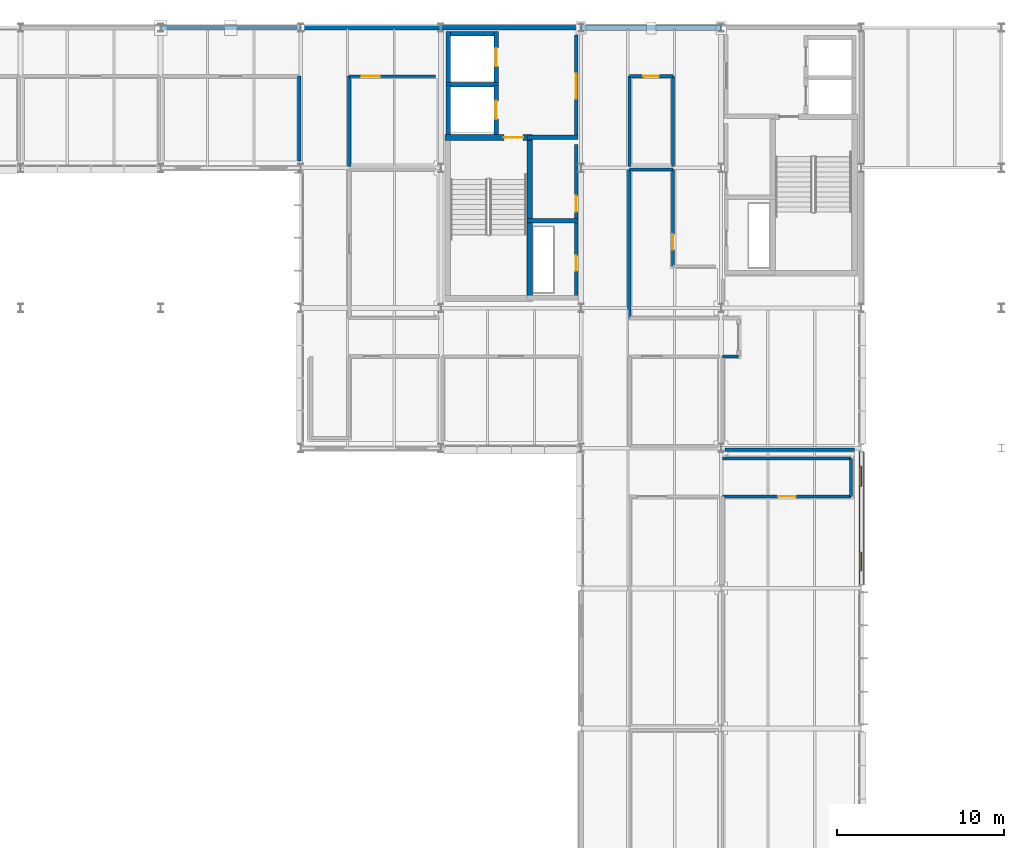
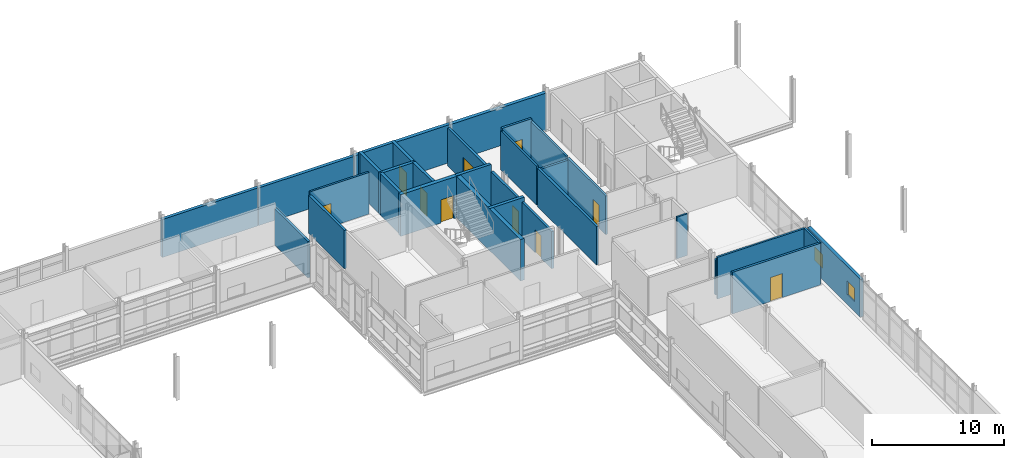
# One storey, part 113 of 131: 32 walls, 10 doors, 2 windows, 12 openings.
"""IFC4 building model written with IfcOpenShell, lengths in metres."""

from ifc_helpers import new_model, si_unit, direction, frame, frame_2d, origin, place, context, subcontext, project, spatial, rectangle, extrude, material, layer, layer_set, type_object, element, fill, save


model = new_model("IFC4")

# Units and contexts
model_context = context("Model", 3, precision=1e-05, world=origin(), true_north=direction((0.0, 1.0)))
body_context = subcontext(model_context, "Body", "Model", "MODEL_VIEW")
ifc_project = project(units=[si_unit("LENGTHUNIT", "METRE"), si_unit("AREAUNIT", "SQUARE_METRE"), si_unit("VOLUMEUNIT", "CUBIC_METRE"), si_unit("PLANEANGLEUNIT", "RADIAN"), si_unit("MASSUNIT", "GRAM", prefix="KILO")], contexts=[model_context])

# Site, building, storey
site_placement = place(None, origin())
site = spatial("IfcSite", under=ifc_project, at=site_placement, CompositionType="ELEMENT")
building_placement = place(site_placement, origin())
building = spatial("IfcBuilding", under=site, at=building_placement, Name="Mersafa Astral City Hall", CompositionType="ELEMENT")
storey_placement = place(building_placement, frame((0.0, 0.0, 13.949951171875)))
storey = spatial("IfcBuildingStorey", under=building, at=storey_placement, Name="L03", CompositionType="ELEMENT", Elevation=13.949951171875)

# Wall
ifc_material_1 = material(Name="Precast concrete C40/50 insulated limestone wall", Category="masonry")
ifc_layer_1 = layer(ifc_material_1, 0.264892578125, Name="Precast concrete C40/50 insulated limestone wall")
ifc_layer_set_1 = layer_set([ifc_layer_1], Name="Precast concrete C40/50 insulated limestone wall — ENV-WAL-EXT-265")
wall_type_1 = type_object("IfcWallType", Name="ENV-WAL-EXT-265", PredefinedType="STANDARD", material=ifc_layer_set_1)
wall_1_placement = place(storey_placement, frame((142.7919921875, 126.0, 0.0), z_axis=(0.0, 0.0, 1.0), x_axis=(-1.0, 0.0, 0.0)))
element("IfcWall", 1, at=wall_1_placement, inside=storey, type_object=wall_type_1, Name="L03 Limestone-clad exterior wall 255", PredefinedType="STANDARD", context=body_context, shape_type="SweptSolid", body=[
    extrude(rectangle(XDim=8.384033203125, YDim=0.264892578125, at=frame_2d((4.19189453125, 0.0))), origin(), (0.0, 0.0, 1.0), 3.51708984375),
])

# Wall, openings, windows
ifc_layer_2 = layer(ifc_material_1, 0.280029296875, Name="Precast concrete C40/50 insulated limestone wall")
ifc_layer_set_2 = layer_set([ifc_layer_2], Name="Precast concrete C40/50 insulated limestone wall — ENV-WAL-EXT-280")
wall_type_2 = type_object("IfcWallType", Name="ENV-WAL-EXT-280", PredefinedType="STANDARD", material=ifc_layer_set_2)
wall_2_placement = place(storey_placement, frame((176.39990234375, 92.595947265625, 0.0), z_axis=(0.0, 0.0, 1.0), x_axis=(0.0, 1.0, 0.0)))
wall_2 = element("IfcWall", 2, at=wall_2_placement, inside=storey, type_object=wall_type_2, Name="L03 Limestone-clad exterior wall 248", PredefinedType="STANDARD", context=body_context, shape_type="SweptSolid", body=[
    extrude(rectangle(XDim=7.983154296875, YDim=0.280029296875, at=frame_2d((3.99169921875, 0.0))), origin(), (0.0, 0.0, 1.0), 3.487060546875),
])
opening_1_placement = place(wall_2_placement, frame((0.85009765625, 0.0, 0.89990234375)))
opening_1 = element("IfcOpeningElement", 3, at=opening_1_placement, cuts=wall_2, Name="Opening W-12", PredefinedType="OPENING", context=body_context, shape_type="SweptSolid", body=[
    extrude(rectangle(XDim=1.1201171875, YDim=1.25, at=frame_2d((0.56005859375, 0.625))), frame((0.0, 0.14990234375, 0.0), z_axis=(0.0, -1.0, 0.0), x_axis=(1.0, 0.0, 0.0)), (0.0, 0.0, 1.0), 0.300048828125),
])
opening_2_placement = place(wall_2_placement, frame((5.9130859375, 0.0, 0.89990234375)))
opening_2 = element("IfcOpeningElement", 4, at=opening_2_placement, cuts=wall_2, Name="Opening W-13", PredefinedType="OPENING", context=body_context, shape_type="SweptSolid", body=[
    extrude(rectangle(XDim=1.219970703125, YDim=1.25, at=frame_2d((0.60986328125, 0.625))), frame((0.0, 0.14990234375, 0.0), z_axis=(0.0, -1.0, 0.0), x_axis=(1.0, 0.0, 0.0)), (0.0, 0.0, 1.0), 0.300048828125),
])
ifc_material_2 = material(Name="Solar control low-e double glazing in bronze frame", Category="glass")
window_type_1 = type_object("IfcWindowType", Name="ENV-WIN-W-12", PartitioningType="SINGLE_PANEL", PredefinedType="WINDOW", material=ifc_material_2)
window_1_placement = place(opening_1_placement, origin())
window_1 = element("IfcWindow", 5, at=window_1_placement, inside=storey, type_object=window_type_1, Name="L03 Solar punched window 248-L", OverallHeight=1.25, OverallWidth=1.1201171875, PartitioningType="SINGLE_PANEL", PredefinedType="WINDOW", context=body_context, shape_type="SweptSolid", body=[
    extrude(rectangle(XDim=1.1201171875, YDim=1.25, at=frame_2d((0.56005859375, 0.625))), frame((0.0, 0.030029296875, 0.0), z_axis=(0.0, -1.0, 0.0), x_axis=(1.0, 0.0, 0.0)), (0.0, 0.0, 1.0), 0.06005859375),
])
fill(opening_1, window_1)
window_type_2 = type_object("IfcWindowType", Name="ENV-WIN-W-13", PartitioningType="SINGLE_PANEL", PredefinedType="WINDOW", material=ifc_material_2)
window_2_placement = place(opening_2_placement, origin())
window_2 = element("IfcWindow", 6, at=window_2_placement, inside=storey, type_object=window_type_2, Name="L03 Solar punched window 248-R", OverallHeight=1.25, OverallWidth=1.219970703125, PartitioningType="SINGLE_PANEL", PredefinedType="WINDOW", context=body_context, shape_type="SweptSolid", body=[
    extrude(rectangle(XDim=1.219970703125, YDim=1.25, at=frame_2d((0.60986328125, 0.625))), frame((0.0, 0.030029296875, 0.0), z_axis=(0.0, -1.0, 0.0), x_axis=(1.0, 0.0, 0.0)), (0.0, 0.0, 1.0), 0.06005859375),
])
fill(opening_2, window_2)

# Walls
wall_3_placement = place(storey_placement, frame((151.19189453125, 126.0, 0.0), z_axis=(0.0, 0.0, 1.0), x_axis=(-1.0, 0.0, 0.0)))
element("IfcWall", 7, at=wall_3_placement, inside=storey, type_object=wall_type_2, Name="L03 Limestone-clad exterior wall 254", PredefinedType="STANDARD", context=body_context, shape_type="SweptSolid", body=[
    extrude(rectangle(XDim=8.3837890625, YDim=0.280029296875, at=frame_2d((4.19189453125, 0.0))), origin(), (0.0, 0.0, 1.0), 3.487060546875),
])
ifc_layer_3 = layer(ifc_material_1, 0.294921875, Name="Precast concrete C40/50 insulated limestone wall")
ifc_layer_set_3 = layer_set([ifc_layer_3], Name="Precast concrete C40/50 insulated limestone wall — ENV-WAL-EXT-295")
wall_type_3 = type_object("IfcWallType", Name="ENV-WAL-EXT-295", PredefinedType="STANDARD", material=ifc_layer_set_3)
wall_4_placement = place(storey_placement, frame((159.592041015625, 126.0, 0.0), z_axis=(0.0, 0.0, 1.0), x_axis=(-1.0, 0.0, 0.0)))
element("IfcWall", 8, at=wall_4_placement, inside=storey, type_object=wall_type_3, Name="L03 Limestone-clad exterior wall 253", PredefinedType="STANDARD", context=body_context, shape_type="SweptSolid", body=[
    extrude(rectangle(XDim=8.384033203125, YDim=0.294921875, at=frame_2d((4.19189453125, 0.0))), origin(), (0.0, 0.0, 1.0), 3.51708984375),
])
ifc_layer_4 = layer(ifc_material_1, 0.31005859375, Name="Precast concrete C40/50 insulated limestone wall")
ifc_layer_set_4 = layer_set([ifc_layer_4], Name="Precast concrete C40/50 insulated limestone wall — ENV-WAL-EXT-310")
wall_type_4 = type_object("IfcWallType", Name="ENV-WAL-EXT-310", PredefinedType="STANDARD", material=ifc_layer_set_4)
wall_5_placement = place(storey_placement, frame((167.991943359375, 126.0, 0.0), z_axis=(0.0, 0.0, 1.0), x_axis=(-1.0, 0.0, 0.0)))
element("IfcWall", 9, at=wall_5_placement, inside=storey, type_object=wall_type_4, Name="L03 Limestone-clad exterior wall 252", PredefinedType="STANDARD", context=body_context, shape_type="SweptSolid", body=[
    extrude(rectangle(XDim=8.384033203125, YDim=0.31005859375, at=frame_2d((4.19189453125, 0.0))), origin(), (0.0, 0.0, 1.0), 3.487060546875),
])
ifc_material_3 = material(Name="Concrete C40/50", Category="concrete")
ifc_layer_5 = layer(ifc_material_3, 0.260009765625, Name="Concrete C40/50")
ifc_layer_set_5 = layer_set([ifc_layer_5], Name="Concrete C40/50 — INT-WAL-CORE-260")
wall_type_5 = type_object("IfcWallType", Name="INT-WAL-CORE-260", PredefinedType="SHEAR", material=ifc_layer_set_5)
wall_6_placement = place(storey_placement, frame((151.514892578125, 122.5849609375, 0.0), z_axis=(0.0, 0.0, 1.0), x_axis=(1.0, 0.0, 0.0)))
element("IfcWall", 10, at=wall_6_placement, inside=storey, type_object=wall_type_5, Name="L03 Lift LF1 north shaft wall", PredefinedType="SHEAR", context=body_context, shape_type="SweptSolid", body=[
    extrude(rectangle(XDim=3.130126953125, YDim=0.260009765625, at=frame_2d((1.56494140625, 0.0))), origin(), (0.0, 0.0, 1.0), 3.85009765625),
])
wall_7_placement = place(storey_placement, frame((151.64501953125, 119.596923828125, 0.0), z_axis=(0.0, 0.0, 1.0), x_axis=(0.0, 1.0, 0.0)))
element("IfcWall", 11, at=wall_7_placement, inside=storey, type_object=wall_type_5, Name="L03 Lift LF1 back shaft wall", PredefinedType="SHEAR", context=body_context, shape_type="SweptSolid", body=[
    extrude(rectangle(XDim=2.947998046875, YDim=0.260009765625, at=frame_2d((1.47412109375, 0.0))), origin(), (0.0, 0.0, 1.0), 3.85009765625),
])

# Wall, opening, door
wall_8_placement = place(storey_placement, frame((154.514892578125, 119.596923828125, 0.0), z_axis=(0.0, 0.0, 1.0), x_axis=(0.0, 1.0, 0.0)))
wall_8 = element("IfcWall", 12, at=wall_8_placement, inside=storey, type_object=wall_type_5, Name="L03 Lift LF1 front shaft wall", PredefinedType="SHEAR", context=body_context, shape_type="SweptSolid", body=[
    extrude(rectangle(XDim=2.947998046875, YDim=0.260009765625, at=frame_2d((1.47412109375, 0.0))), origin(), (0.0, 0.0, 1.0), 3.85009765625),
])
opening_3_placement = place(wall_8_placement, frame((0.924072265625, 0.0, 0.0)))
opening_3 = element("IfcOpeningElement", 13, at=opening_3_placement, cuts=wall_8, Name="Opening LD-1", PredefinedType="OPENING", context=body_context, shape_type="SweptSolid", body=[
    extrude(rectangle(XDim=1.10009765625, YDim=2.14990234375, at=frame_2d((0.550048828125, 1.074951171875))), frame((0.0, 0.139892578125, 0.0), z_axis=(0.0, -1.0, 0.0), x_axis=(1.0, 0.0, 0.0)), (0.0, 0.0, 1.0), 0.280029296875),
])
ifc_material_4 = material(Name="Stainless steel sliding lift landing door", Category="steel")
door_type_1 = type_object("IfcDoorType", Name="INT-DR-LIFT-LD1", OperationType="NOTDEFINED", PredefinedType="DOOR", material=ifc_material_4)
door_1_placement = place(opening_3_placement, origin())
door_1 = element("IfcDoor", 14, at=door_1_placement, inside=storey, type_object=door_type_1, Name="Elevator LF1 Sliding Landing Door L03", OperationType="DOUBLE_DOOR_SLIDING", OverallHeight=2.14990234375, OverallWidth=1.10009765625, PredefinedType="DOOR", context=body_context, shape_type="SweptSolid", body=[
    extrude(rectangle(XDim=1.10009765625, YDim=2.14990234375, at=frame_2d((0.550048828125, 1.074951171875))), frame((0.0, 0.02490234375, 0.0), z_axis=(0.0, -1.0, 0.0), x_axis=(1.0, 0.0, 0.0)), (0.0, 0.0, 1.0), 0.050048828125),
])
fill(opening_3, door_1)

# Walls
wall_9_placement = place(storey_placement, frame((151.514892578125, 125.635009765625, 0.0), z_axis=(0.0, 0.0, 1.0), x_axis=(1.0, 0.0, 0.0)))
element("IfcWall", 15, at=wall_9_placement, inside=storey, type_object=wall_type_5, Name="L03 Lift LF3 north shaft wall", PredefinedType="SHEAR", context=body_context, shape_type="SweptSolid", body=[
    extrude(rectangle(XDim=3.130126953125, YDim=0.260009765625, at=frame_2d((1.56494140625, 0.0))), origin(), (0.0, 0.0, 1.0), 3.85009765625),
])
wall_10_placement = place(storey_placement, frame((151.64501953125, 122.705078125, 0.0), z_axis=(0.0, 0.0, 1.0), x_axis=(0.0, 1.0, 0.0)))
element("IfcWall", 16, at=wall_10_placement, inside=storey, type_object=wall_type_5, Name="L03 Lift LF3 back shaft wall", PredefinedType="SHEAR", context=body_context, shape_type="SweptSolid", body=[
    extrude(rectangle(XDim=3.059814453125, YDim=0.260009765625, at=frame_2d((1.52978515625, 0.0))), origin(), (0.0, 0.0, 1.0), 3.85009765625),
])

# Wall, opening, door
wall_11_placement = place(storey_placement, frame((154.514892578125, 122.705078125, 0.0), z_axis=(0.0, 0.0, 1.0), x_axis=(0.0, 1.0, 0.0)))
wall_11 = element("IfcWall", 17, at=wall_11_placement, inside=storey, type_object=wall_type_5, Name="L03 Lift LF3 front shaft wall", PredefinedType="SHEAR", context=body_context, shape_type="SweptSolid", body=[
    extrude(rectangle(XDim=3.059814453125, YDim=0.260009765625, at=frame_2d((1.52978515625, 0.0))), origin(), (0.0, 0.0, 1.0), 3.85009765625),
])
opening_4_placement = place(wall_11_placement, frame((0.97998046875, 0.0, 0.0)))
opening_4 = element("IfcOpeningElement", 18, at=opening_4_placement, cuts=wall_11, Name="Opening LD-1", PredefinedType="OPENING", context=body_context, shape_type="SweptSolid", body=[
    extrude(rectangle(XDim=1.10009765625, YDim=2.14990234375, at=frame_2d((0.550048828125, 1.074951171875))), frame((0.0, 0.139892578125, 0.0), z_axis=(0.0, -1.0, 0.0), x_axis=(1.0, 0.0, 0.0)), (0.0, 0.0, 1.0), 0.280029296875),
])
door_2_placement = place(opening_4_placement, origin())
door_2 = element("IfcDoor", 19, at=door_2_placement, inside=storey, type_object=door_type_1, Name="Elevator LF3 Sliding Landing Door L03", OperationType="DOUBLE_DOOR_SLIDING", OverallHeight=2.14990234375, OverallWidth=1.10009765625, PredefinedType="DOOR", context=body_context, shape_type="SweptSolid", body=[
    extrude(rectangle(XDim=1.10009765625, YDim=2.14990234375, at=frame_2d((0.550048828125, 1.074951171875))), frame((0.0, 0.02490234375, 0.0), z_axis=(0.0, -1.0, 0.0), x_axis=(1.0, 0.0, 0.0)), (0.0, 0.0, 1.0), 0.050048828125),
])
fill(opening_4, door_2)

# Walls
for number, where, z_axis, x_axis, name in (
    (20, (156.364990234375, 114.43505859375, 0.0), (0.0, 0.0, 1.0), (1.0, 0.0, 0.0), "L03 Core K1 riser-restroom divider wall"),
    (21, (156.364990234375, 119.43505859375, 0.0), (0.0, 0.0, 1.0), (1.0, 0.0, 0.0), "L03 Core K1 restroom-lobby divider wall"),
):
    element("IfcWall", number, at=place(storey_placement, frame(where, z_axis=z_axis, x_axis=x_axis)), inside=storey, type_object=wall_type_5, Name=name, PredefinedType="SHEAR", context=body_context, shape_type="SweptSolid", body=[
        extrude(rectangle(XDim=3.034912109375, YDim=0.260009765625, at=frame_2d((1.517578125, 0.0))), origin(), (0.0, 0.0, 1.0), 3.85009765625),
    ])
ifc_layer_6 = layer(ifc_material_3, 0.340087890625, Name="Concrete C40/50")
ifc_layer_set_6 = layer_set([ifc_layer_6], Name="Concrete C40/50 — INT-WAL-CORE-340")
wall_type_6 = type_object("IfcWallType", Name="INT-WAL-CORE-340", PredefinedType="SHEAR", material=ifc_layer_set_6)
wall_12_placement = place(storey_placement, frame((156.514892578125, 109.60498046875, 0.0), z_axis=(0.0, 0.0, 1.0), x_axis=(0.0, 1.0, 0.0)))
element("IfcWall", 22, at=wall_12_placement, inside=storey, type_object=wall_type_6, Name="L03 Core K1 stair east shear wall", PredefinedType="SHEAR", context=body_context, shape_type="SweptSolid", body=[
    extrude(rectangle(XDim=9.989990234375, YDim=0.340087890625, at=frame_2d((4.9951171875, 0.0))), origin(), (0.0, 0.0, 1.0), 3.85009765625),
])

# Wall, opening, door
wall_13_placement = place(storey_placement, frame((151.43505859375, 119.425048828125, 0.0), z_axis=(0.0, 0.0, 1.0), x_axis=(1.0, 0.0, 0.0)))
wall_13 = element("IfcWall", 23, at=wall_13_placement, inside=storey, type_object=wall_type_6, Name="L03 Core K1 stair-lobby fire wall", PredefinedType="SHEAR", context=body_context, shape_type="SweptSolid", body=[
    extrude(rectangle(XDim=5.25, YDim=0.340087890625, at=frame_2d((2.625, 0.0))), origin(), (0.0, 0.0, 1.0), 3.85009765625),
])
opening_5_placement = place(wall_13_placement, frame((3.534912109375, 0.0, 0.0)))
opening_5 = element("IfcOpeningElement", 24, at=opening_5_placement, cuts=wall_13, Name="Opening CD-1", PredefinedType="OPENING", context=body_context, shape_type="SweptSolid", body=[
    extrude(rectangle(XDim=1.14990234375, YDim=2.14990234375, at=frame_2d((0.574951171875, 1.074951171875))), frame((0.0, 0.179931640625, 0.0), z_axis=(0.0, -1.0, 0.0), x_axis=(1.0, 0.0, 0.0)), (0.0, 0.0, 1.0), 0.360107421875),
])
ifc_material_5 = material(Name="Fire-rated steel stair door", Category="steel")
door_type_2 = type_object("IfcDoorType", Name="INT-DR-STAIR-FD90-1150", OperationType="NOTDEFINED", PredefinedType="DOOR", material=ifc_material_5)
door_3_placement = place(opening_5_placement, origin())
door_3 = element("IfcDoor", 25, at=door_3_placement, inside=storey, type_object=door_type_2, Name="L03 Protected Stair ST1 Door", OperationType="SINGLE_SWING_LEFT", OverallHeight=2.14990234375, OverallWidth=1.14990234375, PredefinedType="DOOR", context=body_context, shape_type="SweptSolid", body=[
    extrude(rectangle(XDim=1.14990234375, YDim=2.14990234375, at=frame_2d((0.574951171875, 1.074951171875))), frame((0.0, 0.02490234375, 0.0), z_axis=(0.0, -1.0, 0.0), x_axis=(1.0, 0.0, 0.0)), (0.0, 0.0, 1.0), 0.050048828125),
])
fill(opening_5, door_3)

# Walls
ifc_material_6 = material(Name="Fire-rated gypsum stud partition", Category="gypsum")
ifc_layer_7 = layer(ifc_material_6, 0.1650390625, Name="Fire-rated gypsum stud partition")
ifc_layer_set_7 = layer_set([ifc_layer_7], Name="Fire-rated gypsum stud partition — INT-WAL-PART-EI60-165")
wall_type_7 = type_object("IfcWallType", Name="INT-WAL-PART-EI60-165", PredefinedType="STANDARD", material=ifc_layer_set_7)
wall_14_placement = place(storey_placement, frame((175.780029296875, 100.179931640625, -0.00390625), z_axis=(0.0, 0.0, 1.0), x_axis=(-1.0, 0.0, 0.0)))
element("IfcWall", 26, at=wall_14_placement, inside=storey, type_object=wall_type_7, Name="L03 Interior partition wall 551", PredefinedType="STANDARD", context=body_context, shape_type="SweptSolid", body=[
    extrude(rectangle(XDim=7.68994140625, YDim=0.1650390625, at=frame_2d((3.844970703125, 0.0))), origin(), (0.0, 0.0, 1.0), 3.85400390625),
])
wall_15_placement = place(storey_placement, frame((168.090087890625, 106.300048828125, -0.00390625), z_axis=(0.0, 0.0, 1.0), x_axis=(1.0, 0.0, 0.0)))
element("IfcWall", 27, at=wall_15_placement, inside=storey, type_object=wall_type_7, Name="L03 Interior partition wall 579", PredefinedType="STANDARD", context=body_context, shape_type="SweptSolid", body=[
    extrude(rectangle(XDim=0.93994140625, YDim=0.1650390625, at=frame_2d((0.469970703125, 0.0))), origin(), (0.0, 0.0, 1.0), 3.85400390625),
])

# Wall, opening, door
wall_16_placement = place(storey_placement, frame((145.699951171875, 123.10009765625, -0.00390625), z_axis=(0.0, 0.0, 1.0), x_axis=(1.0, 0.0, 0.0)))
wall_16 = element("IfcWall", 28, at=wall_16_placement, inside=storey, type_object=wall_type_7, Name="L03 Interior partition wall 651", PredefinedType="STANDARD", context=body_context, shape_type="SweptSolid", body=[
    extrude(rectangle(XDim=5.16015625, YDim=0.1650390625, at=frame_2d((2.580078125, 0.0))), origin(), (0.0, 0.0, 1.0), 3.85400390625),
])
opening_6_placement = place(wall_16_placement, frame((0.739990234375, 0.0, 0.0)))
opening_6 = element("IfcOpeningElement", 29, at=opening_6_placement, cuts=wall_16, Name="Opening D-13", PredefinedType="OPENING", context=body_context, shape_type="SweptSolid", body=[
    extrude(rectangle(XDim=1.10009765625, YDim=2.139892578125, at=frame_2d((0.550048828125, 1.06982421875))), frame((0.0, 0.092529296875, 0.0), z_axis=(0.0, -1.0, 0.0), x_axis=(1.0, 0.0, 0.0)), (0.0, 0.0, 1.0), 0.18505859375),
])
ifc_material_7 = material(Name="Cedar veneered acoustic fire-rated timber door", Category="wood")
door_type_3 = type_object("IfcDoorType", Name="INT-DR-RM-D-13", OperationType="NOTDEFINED", PredefinedType="DOOR", material=ifc_material_7)
door_4_placement = place(opening_6_placement, origin())
door_4 = element("IfcDoor", 30, at=door_4_placement, inside=storey, type_object=door_type_3, Name="L03 Urban Planning Studio L03-29 Entrance Door", OperationType="SINGLE_SWING_LEFT", OverallHeight=2.139892578125, OverallWidth=1.10009765625, PredefinedType="DOOR", context=body_context, shape_type="SweptSolid", body=[
    extrude(rectangle(XDim=1.10009765625, YDim=2.139892578125, at=frame_2d((0.550048828125, 1.06982421875))), frame((0.0, 0.02490234375, 0.0), z_axis=(0.0, -1.0, 0.0), x_axis=(1.0, 0.0, 0.0)), (0.0, 0.0, 1.0), 0.050048828125),
])
fill(opening_6, door_4)

# Walls
wall_17_placement = place(storey_placement, frame((162.5, 117.68994140625, -0.00390625), z_axis=(0.0, 0.0, 1.0), x_axis=(0.0, 1.0, 0.0)))
element("IfcWall", 31, at=wall_17_placement, inside=storey, type_object=wall_type_7, Name="L03 Interior partition wall 671", PredefinedType="STANDARD", context=body_context, shape_type="SweptSolid", body=[
    extrude(rectangle(XDim=5.41015625, YDim=0.1650390625, at=frame_2d((2.705078125, 0.0))), origin(), (0.0, 0.0, 1.0), 3.61083984375),
])
ifc_material_8 = material(Name="Acoustic twin-stud gypsum partition", Category="gypsum")
ifc_layer_8 = layer(ifc_material_8, 0.179931640625, Name="Acoustic twin-stud gypsum partition")
ifc_layer_set_8 = layer_set([ifc_layer_8], Name="Acoustic twin-stud gypsum partition — INT-WAL-PART-EI60-180")
wall_type_8 = type_object("IfcWallType", Name="INT-WAL-PART-EI60-180", PredefinedType="STANDARD", material=ifc_layer_set_8)
wall_18_placement = place(storey_placement, frame((175.780029296875, 97.89990234375, -0.00390625), z_axis=(0.0, 0.0, 1.0), x_axis=(0.0, 1.0, 0.0)))
element("IfcWall", 32, at=wall_18_placement, inside=storey, type_object=wall_type_8, Name="L03 Interior partition wall 550", PredefinedType="STANDARD", context=body_context, shape_type="SweptSolid", body=[
    extrude(rectangle(XDim=2.280029296875, YDim=0.179931640625, at=frame_2d((1.14013671875, 0.0))), origin(), (0.0, 0.0, 1.0), 3.85400390625),
])

# Wall, opening, door
wall_19_placement = place(storey_placement, frame((165.10009765625, 117.510009765625, -0.00390625), z_axis=(0.0, 0.0, 1.0), x_axis=(0.0, -1.0, 0.0)))
wall_19 = element("IfcWall", 33, at=wall_19_placement, inside=storey, type_object=wall_type_8, Name="L03 Interior partition wall 642", PredefinedType="STANDARD", context=body_context, shape_type="SweptSolid", body=[
    extrude(rectangle(XDim=5.81005859375, YDim=0.179931640625, at=frame_2d((2.905029296875, 0.0))), origin(), (0.0, 0.0, 1.0), 3.5810546875),
])
opening_7_placement = place(wall_19_placement, frame((3.8974609375, 0.0, 0.0)))
opening_7 = element("IfcOpeningElement", 34, at=opening_7_placement, cuts=wall_19, Name="Opening D-10", PredefinedType="OPENING", context=body_context, shape_type="SweptSolid", body=[
    extrude(rectangle(XDim=0.919921875, YDim=2.139892578125, at=frame_2d((0.4599609375, 1.06982421875))), frame((0.0, 0.099853515625, 0.0), z_axis=(0.0, -1.0, 0.0), x_axis=(1.0, 0.0, 0.0)), (0.0, 0.0, 1.0), 0.199951171875),
])
door_type_4 = type_object("IfcDoorType", Name="INT-DR-RM-D-10", OperationType="NOTDEFINED", PredefinedType="DOOR", material=ifc_material_7)
door_5_placement = place(opening_7_placement, origin())
door_5 = element("IfcDoor", 35, at=door_5_placement, inside=storey, type_object=door_type_4, Name="L03 Building Permits Technical Office L03-26 Entrance Door", OperationType="SINGLE_SWING_RIGHT", OverallHeight=2.139892578125, OverallWidth=0.919921875, PredefinedType="DOOR", context=body_context, shape_type="SweptSolid", body=[
    extrude(rectangle(XDim=0.919921875, YDim=2.139892578125, at=frame_2d((0.4599609375, 1.06982421875))), frame((0.0, 0.02490234375, 0.0), z_axis=(0.0, -1.0, 0.0), x_axis=(1.0, 0.0, 0.0)), (0.0, 0.0, 1.0), 0.050048828125),
])
fill(opening_7, door_5)

# Wall
wall_20_placement = place(storey_placement, frame((165.10009765625, 123.10009765625, -0.00390625), z_axis=(0.0, 0.0, 1.0), x_axis=(0.0, -1.0, 0.0)))
element("IfcWall", 36, at=wall_20_placement, inside=storey, type_object=wall_type_8, Name="L03 Interior partition wall 670", PredefinedType="STANDARD", context=body_context, shape_type="SweptSolid", body=[
    extrude(rectangle(XDim=5.41015625, YDim=0.179931640625, at=frame_2d((2.705078125, 0.0))), origin(), (0.0, 0.0, 1.0), 3.61083984375),
])

# Wall, opening, door
ifc_layer_9 = layer(ifc_material_8, 0.195068359375, Name="Acoustic twin-stud gypsum partition")
ifc_layer_set_9 = layer_set([ifc_layer_9], Name="Acoustic twin-stud gypsum partition — INT-WAL-PART-EI60-195")
wall_type_9 = type_object("IfcWallType", Name="INT-WAL-PART-EI60-195", PredefinedType="STANDARD", material=ifc_layer_set_9)
wall_21_placement = place(storey_placement, frame((168.090087890625, 97.89990234375, -0.00390625), z_axis=(0.0, 0.0, 1.0), x_axis=(1.0, 0.0, 0.0)))
wall_21 = element("IfcWall", 37, at=wall_21_placement, inside=storey, type_object=wall_type_9, Name="L03 Interior partition wall 549", PredefinedType="STANDARD", context=body_context, shape_type="SweptSolid", body=[
    extrude(rectangle(XDim=7.68994140625, YDim=0.195068359375, at=frame_2d((3.844970703125, 0.0))), origin(), (0.0, 0.0, 1.0), 3.85400390625),
])
opening_8_placement = place(wall_21_placement, frame((3.324951171875, 0.0, 0.0)))
opening_8 = element("IfcOpeningElement", 38, at=opening_8_placement, cuts=wall_21, Name="Opening D-21", PredefinedType="OPENING", context=body_context, shape_type="SweptSolid", body=[
    extrude(rectangle(XDim=1.0400390625, YDim=2.219970703125, at=frame_2d((0.52001953125, 1.10986328125))), frame((0.0, 0.107421875, 0.0), z_axis=(0.0, -1.0, 0.0), x_axis=(1.0, 0.0, 0.0)), (0.0, 0.0, 1.0), 0.215087890625),
])
door_type_5 = type_object("IfcDoorType", Name="INT-DR-RM-D-21", OperationType="NOTDEFINED", PredefinedType="DOOR", material=ifc_material_7)
door_6_placement = place(opening_8_placement, origin())
door_6 = element("IfcDoor", 39, at=door_6_placement, inside=storey, type_object=door_type_5, Name="L03 Municipal Administration Office L03-01 Entrance Door", OperationType="SINGLE_SWING_LEFT", OverallHeight=2.219970703125, OverallWidth=1.0400390625, PredefinedType="DOOR", context=body_context, shape_type="SweptSolid", body=[
    extrude(rectangle(XDim=1.0400390625, YDim=2.219970703125, at=frame_2d((0.52001953125, 1.10986328125))), frame((0.0, 0.02490234375, 0.0), z_axis=(0.0, -1.0, 0.0), x_axis=(1.0, 0.0, 0.0)), (0.0, 0.0, 1.0), 0.050048828125),
])
fill(opening_8, door_6)

# Walls
wall_22_placement = place(storey_placement, frame((142.7099609375, 123.10009765625, -0.00390625), z_axis=(0.0, 0.0, 1.0), x_axis=(0.0, -1.0, 0.0)))
element("IfcWall", 40, at=wall_22_placement, inside=storey, type_object=wall_type_9, Name="L03 Interior partition wall 633", PredefinedType="STANDARD", context=body_context, shape_type="SweptSolid", body=[
    extrude(rectangle(XDim=5.080078125, YDim=0.195068359375, at=frame_2d((2.5400390625, 0.0))), origin(), (0.0, 0.0, 1.0), 3.36083984375),
])
wall_23_placement = place(storey_placement, frame((162.5, 117.510009765625, -0.00390625), z_axis=(0.0, 0.0, 1.0), x_axis=(1.0, 0.0, 0.0)))
element("IfcWall", 41, at=wall_23_placement, inside=storey, type_object=wall_type_9, Name="L03 Interior partition wall 641", PredefinedType="STANDARD", context=body_context, shape_type="SweptSolid", body=[
    extrude(rectangle(XDim=2.60009765625, YDim=0.195068359375, at=frame_2d((1.300048828125, 0.0))), origin(), (0.0, 0.0, 1.0), 3.410888671875),
])

# Wall, opening, door
wall_24_placement = place(storey_placement, frame((162.5, 123.10009765625, -0.00390625), z_axis=(0.0, 0.0, 1.0), x_axis=(1.0, 0.0, 0.0)))
wall_24 = element("IfcWall", 42, at=wall_24_placement, inside=storey, type_object=wall_type_9, Name="L03 Interior partition wall 669", PredefinedType="STANDARD", context=body_context, shape_type="SweptSolid", body=[
    extrude(rectangle(XDim=2.60009765625, YDim=0.195068359375, at=frame_2d((1.300048828125, 0.0))), origin(), (0.0, 0.0, 1.0), 3.85400390625),
])
opening_9_placement = place(wall_24_placement, frame((0.840087890625, 0.0, 0.0)))
opening_9 = element("IfcOpeningElement", 43, at=opening_9_placement, cuts=wall_24, Name="Opening D-19", PredefinedType="OPENING", context=body_context, shape_type="SweptSolid", body=[
    extrude(rectangle(XDim=0.919921875, YDim=2.219970703125, at=frame_2d((0.4599609375, 1.10986328125))), frame((0.0, 0.107421875, 0.0), z_axis=(0.0, -1.0, 0.0), x_axis=(1.0, 0.0, 0.0)), (0.0, 0.0, 1.0), 0.215087890625),
])
door_type_6 = type_object("IfcDoorType", Name="INT-DR-RM-D-19", OperationType="NOTDEFINED", PredefinedType="DOOR", material=ifc_material_7)
door_7_placement = place(opening_9_placement, origin())
door_7 = element("IfcDoor", 44, at=door_7_placement, inside=storey, type_object=door_type_6, Name="L03 Building Permits Technical Office L03-35 Entrance Door", OperationType="SINGLE_SWING_LEFT", OverallHeight=2.219970703125, OverallWidth=0.919921875, PredefinedType="DOOR", context=body_context, shape_type="SweptSolid", body=[
    extrude(rectangle(XDim=0.919921875, YDim=2.219970703125, at=frame_2d((0.4599609375, 1.10986328125))), frame((0.0, 0.02490234375, 0.0), z_axis=(0.0, -1.0, 0.0), x_axis=(1.0, 0.0, 0.0)), (0.0, 0.0, 1.0), 0.050048828125),
])
fill(opening_9, door_7)

ifc_material_9 = material(Name="Autoclaved aerated concrete blockwork plastered", Category="masonry")
ifc_layer_10 = layer(ifc_material_9, 0.2099609375, Name="Autoclaved aerated concrete blockwork plastered")
ifc_layer_set_10 = layer_set([ifc_layer_10], Name="Autoclaved aerated concrete blockwork plastered — INT-WAL-PART-EI60-210")
wall_type_10 = type_object("IfcWallType", Name="INT-WAL-PART-EI60-210", PredefinedType="STANDARD", material=ifc_layer_set_10)
wall_25_placement = place(storey_placement, frame((159.300048828125, 109.820068359375, 0.0), z_axis=(0.0, 0.0, 1.0), x_axis=(0.0, 1.0, 0.0)))
wall_25 = element("IfcWall", 45, at=wall_25_placement, inside=storey, type_object=wall_type_10, Name="L03 Core K1 riser corridor partition", PredefinedType="STANDARD", context=body_context, shape_type="SweptSolid", body=[
    extrude(rectangle(XDim=4.58984375, YDim=0.2099609375, at=frame_2d((2.294921875, 0.0))), origin(), (0.0, 0.0, 1.0), 3.447021484375),
])
opening_10_placement = place(wall_25_placement, frame((1.60009765625, 0.0, 0.0)))
opening_10 = element("IfcOpeningElement", 46, at=opening_10_placement, cuts=wall_25, Name="Opening CD-5", PredefinedType="OPENING", context=body_context, shape_type="SweptSolid", body=[
    extrude(rectangle(XDim=0.89990234375, YDim=2.10009765625, at=frame_2d((0.449951171875, 1.050048828125))), frame((0.0, 0.114990234375, 0.0), z_axis=(0.0, -1.0, 0.0), x_axis=(1.0, 0.0, 0.0)), (0.0, 0.0, 1.0), 0.22998046875),
])
ifc_material_10 = material(Name="Fire-rated steel riser access door", Category="steel")
door_type_7 = type_object("IfcDoorType", Name="INT-DR-RISER-FD60-900", OperationType="NOTDEFINED", PredefinedType="DOOR", material=ifc_material_10)
door_8_placement = place(opening_10_placement, origin())
door_8 = element("IfcDoor", 47, at=door_8_placement, inside=storey, type_object=door_type_7, Name="L03 K1 MEP Riser Access Door", OperationType="SINGLE_SWING_RIGHT", OverallHeight=2.10009765625, OverallWidth=0.89990234375, PredefinedType="DOOR", context=body_context, shape_type="SweptSolid", body=[
    extrude(rectangle(XDim=0.89990234375, YDim=2.10009765625, at=frame_2d((0.449951171875, 1.050048828125))), frame((0.0, 0.02490234375, 0.0), z_axis=(0.0, -1.0, 0.0), x_axis=(1.0, 0.0, 0.0)), (0.0, 0.0, 1.0), 0.050048828125),
])
fill(opening_10, door_8)

wall_26_placement = place(storey_placement, frame((159.300048828125, 114.52001953125, 0.0), z_axis=(0.0, 0.0, 1.0), x_axis=(0.0, 1.0, 0.0)))
wall_26 = element("IfcWall", 48, at=wall_26_placement, inside=storey, type_object=wall_type_10, Name="L03 Core K1 accessible WC corridor partition", PredefinedType="STANDARD", context=body_context, shape_type="SweptSolid", body=[
    extrude(rectangle(XDim=4.47998046875, YDim=0.2099609375, at=frame_2d((2.239990234375, 0.0))), origin(), (0.0, 0.0, 1.0), 3.447021484375),
])
opening_11_placement = place(wall_26_placement, frame((0.449951171875, 0.0, 0.0)))
opening_11 = element("IfcOpeningElement", 49, at=opening_11_placement, cuts=wall_26, Name="Opening CD-4", PredefinedType="OPENING", context=body_context, shape_type="SweptSolid", body=[
    extrude(rectangle(XDim=0.949951171875, YDim=2.14990234375, at=frame_2d((0.47509765625, 1.074951171875))), frame((0.0, 0.114990234375, 0.0), z_axis=(0.0, -1.0, 0.0), x_axis=(1.0, 0.0, 0.0)), (0.0, 0.0, 1.0), 0.22998046875),
])
ifc_material_11 = material(Name="Accessible timber acoustic WC door", Category="wood")
door_type_8 = type_object("IfcDoorType", Name="INT-DR-WC-FD30-950", OperationType="NOTDEFINED", PredefinedType="DOOR", material=ifc_material_11)
door_9_placement = place(opening_11_placement, origin())
door_9 = element("IfcDoor", 50, at=door_9_placement, inside=storey, type_object=door_type_8, Name="L03 K1 Accessible Restroom Door", OperationType="SINGLE_SWING_LEFT", OverallHeight=2.14990234375, OverallWidth=0.949951171875, PredefinedType="DOOR", context=body_context, shape_type="SweptSolid", body=[
    extrude(rectangle(XDim=0.949951171875, YDim=2.14990234375, at=frame_2d((0.47509765625, 1.074951171875))), frame((0.0, 0.02490234375, 0.0), z_axis=(0.0, -1.0, 0.0), x_axis=(1.0, 0.0, 0.0)), (0.0, 0.0, 1.0), 0.050048828125),
])
fill(opening_11, door_9)

wall_27_placement = place(storey_placement, frame((159.300048828125, 119.43994140625, 0.0), z_axis=(0.0, 0.0, 1.0), x_axis=(0.0, 1.0, 0.0)))
wall_27 = element("IfcWall", 51, at=wall_27_placement, inside=storey, type_object=wall_type_10, Name="L03 Core K1 lobby corridor partition", PredefinedType="STANDARD", context=body_context, shape_type="SweptSolid", body=[
    extrude(rectangle(XDim=6.1201171875, YDim=0.2099609375, at=frame_2d((3.06005859375, 0.0))), origin(), (0.0, 0.0, 1.0), 3.4970703125),
])
opening_12_placement = place(wall_27_placement, frame((2.31005859375, 0.0, 0.0)))
opening_12 = element("IfcOpeningElement", 52, at=opening_12_placement, cuts=wall_27, Name="Opening CD-3", PredefinedType="OPENING", context=body_context, shape_type="SweptSolid", body=[
    extrude(rectangle(XDim=1.5, YDim=2.199951171875, at=frame_2d((0.75, 1.10009765625))), frame((0.0, 0.114990234375, 0.0), z_axis=(0.0, -1.0, 0.0), x_axis=(1.0, 0.0, 0.0)), (0.0, 0.0, 1.0), 0.22998046875),
])
ifc_material_12 = material(Name="Fire-rated glazed lobby door pair", Category="metal")
door_type_9 = type_object("IfcDoorType", Name="INT-DR-LOBBY-FD90-1500", OperationType="NOTDEFINED", PredefinedType="DOOR", material=ifc_material_12)
door_10_placement = place(opening_12_placement, origin())
door_10 = element("IfcDoor", 53, at=door_10_placement, inside=storey, type_object=door_type_9, Name="L03 K1 Lift Lobby Fire Door", OperationType="DOUBLE_DOOR_SINGLE_SWING", OverallHeight=2.199951171875, OverallWidth=1.5, PredefinedType="DOOR", context=body_context, shape_type="SweptSolid", body=[
    extrude(rectangle(XDim=1.5, YDim=2.199951171875, at=frame_2d((0.75, 1.10009765625))), frame((0.0, 0.02490234375, 0.0), z_axis=(0.0, -1.0, 0.0), x_axis=(1.0, 0.0, 0.0)), (0.0, 0.0, 1.0), 0.050048828125),
])
fill(opening_12, door_10)

# Walls
wall_28_placement = place(storey_placement, frame((168.228759765625, 100.7099609375, -0.00390625), z_axis=(0.0, 0.0, 1.0), x_axis=(1.0, 0.0, 0.0)))
element("IfcWall", 54, at=wall_28_placement, inside=storey, type_object=wall_type_10, Name="L03 Interior partition wall 552", PredefinedType="STANDARD", context=body_context, shape_type="SweptSolid", body=[
    extrude(rectangle(XDim=7.751220703125, YDim=0.2099609375, at=frame_2d((3.87548828125, 0.0))), origin(), (0.0, 0.0, 1.0), 3.2509765625),
])
wall_29_placement = place(storey_placement, frame((162.5, 108.580078125, -0.00390625), z_axis=(0.0, 0.0, 1.0), x_axis=(0.0, 1.0, 0.0)))
element("IfcWall", 55, at=wall_29_placement, inside=storey, type_object=wall_type_10, Name="L03 Interior partition wall 640", PredefinedType="STANDARD", context=body_context, shape_type="SweptSolid", body=[
    extrude(rectangle(XDim=8.929931640625, YDim=0.2099609375, at=frame_2d((4.46484375, 0.0))), origin(), (0.0, 0.0, 1.0), 3.551025390625),
])
wall_30_placement = place(storey_placement, frame((145.699951171875, 117.68994140625, -0.00390625), z_axis=(0.0, 0.0, 1.0), x_axis=(0.0, 1.0, 0.0)))
element("IfcWall", 56, at=wall_30_placement, inside=storey, type_object=wall_type_10, Name="L03 Interior partition wall 652", PredefinedType="STANDARD", context=body_context, shape_type="SweptSolid", body=[
    extrude(rectangle(XDim=5.41015625, YDim=0.2099609375, at=frame_2d((2.705078125, 0.0))), origin(), (0.0, 0.0, 1.0), 3.551025390625),
])

save(model, "model.ifc")
